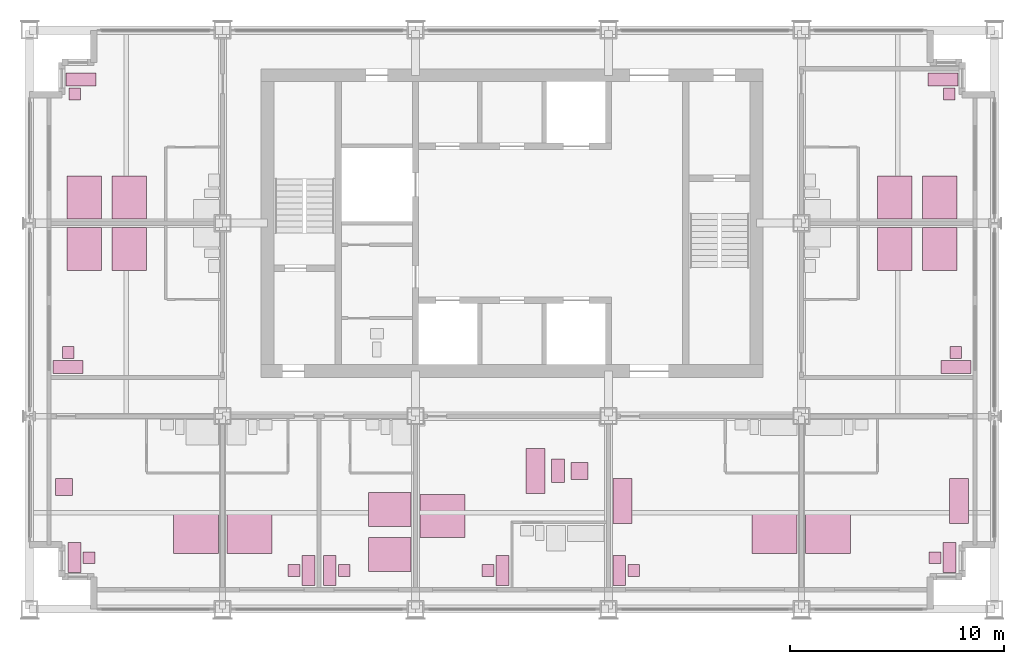
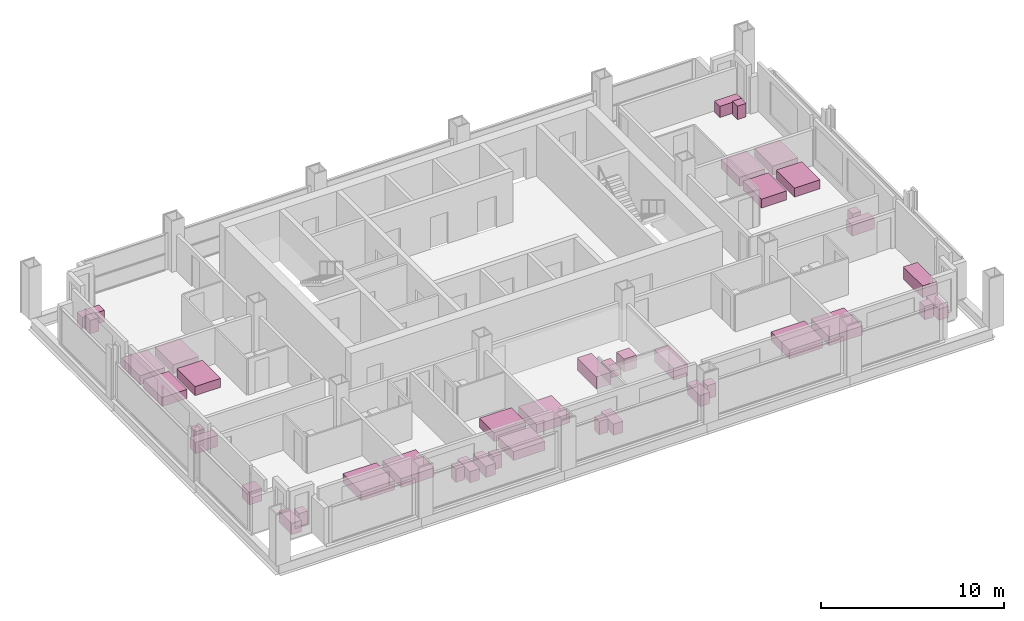
# One storey, part 13 of 13: 41 furniture elements.
"""IFC4 building model written with IfcOpenShell, lengths in metres."""

import ifcopenshell
import ifcopenshell.guid

model = None  # the IFC model being written
_history = None  # IfcOwnerHistory: only IFC2X3 demands one
_inside = {}  # id of a spatial element -> (the spatial element, [elements in it])
_under = {}  # id of a project, library or spatial element -> (it, [spatial elements below it])
_declared = {}  # id of a project -> (the project, [libraries it declares])
_typed = {}  # id of a type object -> (the type object, [elements of that type])
_made_of = {}  # id of a material, layer set ... -> (it, [elements and type objects made of it])


def new_model(schema):
    """Start an empty IFC model of exactly this schema.

    Asked for "IFC4X3", IfcOpenShell would pick the latest addendum, in which some entities
    have other attributes; the version numbers below select the first issue.
    IFC2X3 requires an IfcOwnerHistory on every rooted entity: one is made here for all.
    """
    global model, _history
    if schema == "IFC4X3":
        model = ifcopenshell.file(schema_version=(4, 3, 0, 0))
    else:
        model = ifcopenshell.file(schema=schema)
    _inside.clear()
    _under.clear()
    _declared.clear()
    _typed.clear()
    _made_of.clear()
    _history = None
    if model.schema == "IFC2X3":
        org = make("IfcOrganization", Name="unknown")
        user = make(
            "IfcPersonAndOrganization",
            ThePerson=make("IfcPerson", FamilyName="unknown"),
            TheOrganization=org,
        )
        app = make(
            "IfcApplication",
            ApplicationDeveloper=org,
            Version="unknown",
            ApplicationFullName="unknown",
            ApplicationIdentifier="unknown",
        )
        _history = make(
            "IfcOwnerHistory",
            OwningUser=user,
            OwningApplication=app,
            ChangeAction="ADDED",
            CreationDate=0,
        )
    return model


def make(cls, **values):
    """One entity of the class cls with the attributes given. An attribute that is None is left unset."""
    return model.create_entity(
        cls, **{name: value for name, value in values.items() if value is not None}
    )


def rooted(cls, **values):
    """An entity with a GlobalId (a new one), such as an element, a storey or a relation."""
    return make(cls, GlobalId=ifcopenshell.guid.new(), OwnerHistory=_history, **values)


def si_unit(unit_type, name, prefix=None):
    """IfcSIUnit, for example si_unit("LENGTHUNIT", "METRE", prefix="MILLI")."""
    return make("IfcSIUnit", UnitType=unit_type, Prefix=prefix, Name=name)


def assignment(units):
    """IfcUnitAssignment: the units of a project."""
    return None if units is None else make("IfcUnitAssignment", Units=units)


def point(xyz):
    """IfcCartesianPoint."""
    return None if xyz is None else make("IfcCartesianPoint", Coordinates=xyz)


def direction(xyz):
    """IfcDirection."""
    return None if xyz is None else make("IfcDirection", DirectionRatios=xyz)


def frame(location, z_axis=None, x_axis=None):
    """IfcAxis2Placement3D, a coordinate frame: its origin and axes. An axis left out is left unset."""
    return make(
        "IfcAxis2Placement3D",
        Location=point(location),
        Axis=direction(z_axis),
        RefDirection=direction(x_axis),
    )


def frame_2d(location, x_axis=None):
    """IfcAxis2Placement2D, a coordinate frame in the plane: its origin and x axis."""
    return make(
        "IfcAxis2Placement2D", Location=point(location), RefDirection=direction(x_axis)
    )


def origin():
    """The frame at (0, 0, 0) with its axes left unset."""
    return frame((0.0, 0.0, 0.0))


def origin_2d():
    """The frame at (0, 0) in the plane with its x axis left unset."""
    return frame_2d((0.0, 0.0))


def place(relative_to, where):
    """IfcLocalPlacement: puts the frame where relative to a parent placement (None: the world)."""
    return make(
        "IfcLocalPlacement", PlacementRelTo=relative_to, RelativePlacement=where
    )


def context(
    kind, dimensions, precision=None, world=None, true_north=None, identifier=None
):
    """IfcGeometricRepresentationContext, for example the 3D "Model" context."""
    return make(
        "IfcGeometricRepresentationContext",
        ContextIdentifier=identifier,
        ContextType=kind,
        CoordinateSpaceDimension=dimensions,
        Precision=precision,
        WorldCoordinateSystem=world,
        TrueNorth=true_north,
    )


def subcontext(parent, identifier, kind, view, scale=None):
    """IfcGeometricRepresentationSubContext, for example "Body" below "Model"."""
    return make(
        "IfcGeometricRepresentationSubContext",
        ContextIdentifier=identifier,
        ContextType=kind,
        ParentContext=parent,
        TargetScale=scale,
        TargetView=view,
    )


def project(units=None, contexts=None):
    """IfcProject with its units and contexts."""
    return rooted(
        "IfcProject",
        Name="project",
        RepresentationContexts=contexts,
        UnitsInContext=assignment(units),
    )


def spatial(cls, under=None, at=None, **own):
    """A site, building, storey or space (cls), placed at a placement, below another one or the project."""
    s = rooted(cls, ObjectPlacement=at, **own)
    if under is not None:
        _under.setdefault(under.id(), (under, []))[1].append(s)
    return s


def profile(cls, at=None, kind="AREA", **sizes):
    """A parametric profile (cls). Its sizes go by their IFC names, for example OverallWidth=200.0."""
    return make(cls, ProfileType=kind, Position=at, **sizes)


def rectangle(**sizes):
    """IfcRectangleProfileDef."""
    return profile("IfcRectangleProfileDef", **sizes)


def extrude(swept, where, along, depth):
    """IfcExtrudedAreaSolid: the profile swept, set in the frame where, extruded along a direction by depth."""
    return make(
        "IfcExtrudedAreaSolid",
        SweptArea=swept,
        Position=where,
        ExtrudedDirection=direction(along),
        Depth=depth,
    )


def shape(context_of_items, identifier, shape_type, items):
    """IfcShapeRepresentation: the items that make up one representation, for example the "Body"."""
    return make(
        "IfcShapeRepresentation",
        ContextOfItems=context_of_items,
        RepresentationIdentifier=identifier,
        RepresentationType=shape_type,
        Items=items,
    )


def made_of(thing, what):
    """Note that an element or type object is made of a material, layer set ...; save() writes the relation."""
    if what is not None:
        _made_of.setdefault(what.id(), (what, []))[1].append(thing)
    return thing


def element(
    cls,
    number,
    at=None,
    inside=None,
    cuts=None,
    type_object=None,
    material=None,
    context=None,
    identifier="Body",
    shape_type=None,
    held_by="IfcProductDefinitionShape",
    body=None,
    shapes=None,
    **own,
):
    """One element of the class cls, such as IfcWall. Its Tag is "e" and its number.

    at: its placement. inside: the storey or other place that contains it. cuts: it is an
    opening in that element (IfcRelVoidsElement). A single representation is given by context,
    identifier, shape_type and body (its items); several are given by shapes. held_by: the class
    of the entity that holds the representations. save() writes the other relations.
    """
    e = rooted(cls, Tag="e%d" % number, ObjectPlacement=at, **own)
    if body is not None:
        shapes = [shape(context, identifier, shape_type, body)]
    if shapes is not None:
        e.Representation = make(held_by, Representations=shapes)
    if inside is not None:
        _inside.setdefault(inside.id(), (inside, []))[1].append(e)
    if cuts is not None:
        rooted(
            "IfcRelVoidsElement", RelatingBuildingElement=cuts, RelatedOpeningElement=e
        )
    if type_object is not None:
        _typed.setdefault(type_object.id(), (type_object, []))[1].append(e)
    return made_of(e, material)


def aggregate(whole, parts):
    """IfcRelAggregates: a whole, such as a stair, and the parts it consists of."""
    return rooted("IfcRelAggregates", RelatingObject=whole, RelatedObjects=parts)


def save(model, path):
    """Write the relations noted so far, then the file.

    IfcRelAggregates (storeys below a building ...), IfcRelContainedInSpatialStructure (elements
    in a storey), IfcRelDefinesByType, IfcRelAssociatesMaterial and IfcRelDeclares: one each for
    every whole, place, type object, material and project.
    """
    for whole, parts in _under.values():
        aggregate(whole, parts)
    for where, things in _inside.values():
        rooted(
            "IfcRelContainedInSpatialStructure",
            RelatedElements=things,
            RelatingStructure=where,
        )
    for kind, things in _typed.values():
        rooted("IfcRelDefinesByType", RelatedObjects=things, RelatingType=kind)
    for what, things in _made_of.values():
        rooted("IfcRelAssociatesMaterial", RelatedObjects=things, RelatingMaterial=what)
    for by, libraries in _declared.values():
        rooted("IfcRelDeclares", RelatingContext=by, RelatedDefinitions=libraries)
    model.write(path)


model = new_model("IFC4")

# Units and contexts
model_context = context("Model", 3, precision=1e-05, world=origin(), true_north=direction((0.0, 1.0)))
body_context = subcontext(model_context, "Body", "Model", "MODEL_VIEW")
ifc_project = project(units=[si_unit("LENGTHUNIT", "METRE"), si_unit("AREAUNIT", "SQUARE_METRE"), si_unit("VOLUMEUNIT", "CUBIC_METRE"), si_unit("PLANEANGLEUNIT", "RADIAN"), si_unit("MASSUNIT", "GRAM", prefix="KILO")], contexts=[model_context])

# Site, building, storey
site_placement = place(None, origin())
site = spatial("IfcSite", under=ifc_project, at=site_placement, CompositionType="ELEMENT")
building_placement = place(site_placement, origin())
building = spatial("IfcBuilding", under=site, at=building_placement, Name="Loomwork Tower", CompositionType="ELEMENT")
storey_placement = place(building_placement, frame((0.0, 0.0, 184.199951171875)))
storey = spatial("IfcBuildingStorey", under=building, at=storey_placement, Name="L50", CompositionType="ELEMENT", Elevation=184.199951171875)

# Furniture
furniture_1_placement = place(storey_placement, frame((7.75, 3.60009765625, 0.0), z_axis=(0.0, 0.0, 1.0), x_axis=(1.0, 0.0, 0.0)))
element("IfcFurniture", 1, at=furniture_1_placement, inside=storey, Name="King bed L50", PredefinedType="BED", context=body_context, shape_type="SweptSolid", body=[
    extrude(rectangle(XDim=2.10009765625, YDim=2.0, at=origin_2d()), origin(), (0.0, 0.0, 1.0), 0.60009765625),
])
furniture_2_placement = place(storey_placement, frame((2.10009765625, 2.39990234375, 0.0), z_axis=(0.0, 0.0, 1.0), x_axis=(1.0, 0.0, 0.0)))
element("IfcFurniture", 2, at=furniture_2_placement, inside=storey, Name="Writing desk L50", PredefinedType="DESK", context=body_context, shape_type="SweptSolid", body=[
    extrude(rectangle(XDim=0.60009765625, YDim=1.39990234375, at=origin_2d()), origin(), (0.0, 0.0, 1.0), 0.75),
])
furniture_3_placement = place(storey_placement, frame((2.77490234375, 2.39990234375, 0.0), z_axis=(0.0, 0.0, 1.0), x_axis=(1.0, 0.0, 0.0)))
element("IfcFurniture", 3, at=furniture_3_placement, inside=storey, Name="Desk chair L50", PredefinedType="CHAIR", context=body_context, shape_type="SweptSolid", body=[
    extrude(rectangle(XDim=0.550048828125, YDim=0.550048828125, at=origin_2d()), origin(), (0.0, 0.0, 1.0), 0.89990234375),
])
furniture_4_placement = place(storey_placement, frame((1.60009765625, 5.699951171875, 0.0), z_axis=(0.0, 0.0, 1.0), x_axis=(1.0, 0.0, 0.0)))
element("IfcFurniture", 4, at=furniture_4_placement, inside=storey, Name="Lounge armchair L50", PredefinedType="CHAIR", context=body_context, shape_type="SweptSolid", body=[
    extrude(rectangle(XDim=0.800048828125, YDim=0.800048828125, at=origin_2d()), origin(), (0.0, 0.0, 1.0), 0.85009765625),
])
furniture_5_placement = place(storey_placement, frame((10.25, 3.60009765625, 0.0), z_axis=(0.0, 0.0, 1.0), x_axis=(1.0, 0.0, 0.0)))
element("IfcFurniture", 5, at=furniture_5_placement, inside=storey, Name="King bed L50", PredefinedType="BED", context=body_context, shape_type="SweptSolid", body=[
    extrude(rectangle(XDim=2.10009765625, YDim=2.0, at=origin_2d()), origin(), (0.0, 0.0, 1.0), 0.60009765625),
])
furniture_6_placement = place(storey_placement, frame((13.0, 1.800048828125, 0.0), z_axis=(0.0, 0.0, 1.0), x_axis=(1.0, 0.0, 0.0)))
element("IfcFurniture", 6, at=furniture_6_placement, inside=storey, Name="Writing desk L50", PredefinedType="DESK", context=body_context, shape_type="SweptSolid", body=[
    extrude(rectangle(XDim=0.60009765625, YDim=1.39990234375, at=origin_2d()), origin(), (0.0, 0.0, 1.0), 0.75),
])
furniture_7_placement = place(storey_placement, frame((12.324951171875, 1.800048828125, 0.0), z_axis=(0.0, 0.0, 1.0), x_axis=(1.0, 0.0, 0.0)))
element("IfcFurniture", 7, at=furniture_7_placement, inside=storey, Name="Desk chair L50", PredefinedType="CHAIR", context=body_context, shape_type="SweptSolid", body=[
    extrude(rectangle(XDim=0.550048828125, YDim=0.550048828125, at=origin_2d()), origin(), (0.0, 0.0, 1.0), 0.89990234375),
])
for number, where, z_axis, x_axis, name in (
    (8, (16.800048828125, 4.64990234375, 0.0), (0.0, 0.0, 1.0), (1.0, 0.0, 0.0), "Queen bed L50"),
    (9, (16.800048828125, 2.550048828125, 0.0), (0.0, 0.0, 1.0), (1.0, 0.0, 0.0), "Queen bed L50"),
):
    element("IfcFurniture", number, at=place(storey_placement, frame(where, z_axis=z_axis, x_axis=x_axis)), inside=storey, Name=name, PredefinedType="BED", context=body_context, shape_type="SweptSolid", body=[
        extrude(rectangle(XDim=2.0, YDim=1.60009765625, at=origin_2d()), origin(), (0.0, 0.0, 1.0), 0.60009765625),
    ])
furniture_8_placement = place(storey_placement, frame((14.0, 1.800048828125, 0.0), z_axis=(0.0, 0.0, 1.0), x_axis=(1.0, 0.0, 0.0)))
element("IfcFurniture", 10, at=furniture_8_placement, inside=storey, Name="Writing desk L50", PredefinedType="DESK", context=body_context, shape_type="SweptSolid", body=[
    extrude(rectangle(XDim=0.60009765625, YDim=1.39990234375, at=origin_2d()), origin(), (0.0, 0.0, 1.0), 0.75),
])
furniture_9_placement = place(storey_placement, frame((14.675048828125, 1.800048828125, 0.0), z_axis=(0.0, 0.0, 1.0), x_axis=(1.0, 0.0, 0.0)))
element("IfcFurniture", 11, at=furniture_9_placement, inside=storey, Name="Desk chair L50", PredefinedType="CHAIR", context=body_context, shape_type="SweptSolid", body=[
    extrude(rectangle(XDim=0.550048828125, YDim=0.550048828125, at=origin_2d()), origin(), (0.0, 0.0, 1.0), 0.89990234375),
])
furniture_10_placement = place(storey_placement, frame((19.25, 4.35009765625, 0.0), z_axis=(0.0, 0.0, 1.0), x_axis=(1.0, 0.0, 0.0)))
element("IfcFurniture", 12, at=furniture_10_placement, inside=storey, Name="King bed L50", PredefinedType="BED", context=body_context, shape_type="SweptSolid", body=[
    extrude(rectangle(XDim=2.10009765625, YDim=2.0, at=origin_2d()), origin(), (0.0, 0.0, 1.0), 0.60009765625),
])
furniture_11_placement = place(storey_placement, frame((22.050048828125, 1.800048828125, 0.0), z_axis=(0.0, 0.0, 1.0), x_axis=(1.0, 0.0, 0.0)))
element("IfcFurniture", 13, at=furniture_11_placement, inside=storey, Name="Writing desk L50", PredefinedType="DESK", context=body_context, shape_type="SweptSolid", body=[
    extrude(rectangle(XDim=0.60009765625, YDim=1.39990234375, at=origin_2d()), origin(), (0.0, 0.0, 1.0), 0.75),
])
furniture_12_placement = place(storey_placement, frame((21.375, 1.800048828125, 0.0), z_axis=(0.0, 0.0, 1.0), x_axis=(1.0, 0.0, 0.0)))
element("IfcFurniture", 14, at=furniture_12_placement, inside=storey, Name="Desk chair L50", PredefinedType="CHAIR", context=body_context, shape_type="SweptSolid", body=[
    extrude(rectangle(XDim=0.550048828125, YDim=0.550048828125, at=origin_2d()), origin(), (0.0, 0.0, 1.0), 0.89990234375),
])
furniture_13_placement = place(storey_placement, frame((23.60009765625, 6.449951171875, 0.0), z_axis=(0.0, 0.0, 1.0), x_axis=(1.0, 0.0, 0.0)))
element("IfcFurniture", 15, at=furniture_13_placement, inside=storey, Name="Sofa L50", PredefinedType="SOFA", context=body_context, shape_type="SweptSolid", body=[
    extrude(rectangle(XDim=0.89990234375, YDim=2.10009765625, at=origin_2d()), origin(), (0.0, 0.0, 1.0), 0.800048828125),
])
furniture_14_placement = place(storey_placement, frame((24.64990234375, 6.449951171875, 0.0), z_axis=(0.0, 0.0, 1.0), x_axis=(1.0, 0.0, 0.0)))
element("IfcFurniture", 16, at=furniture_14_placement, inside=storey, Name="Coffee table L50", PredefinedType="TABLE", context=body_context, shape_type="SweptSolid", body=[
    extrude(rectangle(XDim=0.60009765625, YDim=1.10009765625, at=origin_2d()), origin(), (0.0, 0.0, 1.0), 0.449951171875),
])
furniture_15_placement = place(storey_placement, frame((25.64990234375, 6.449951171875, 0.0), z_axis=(0.0, 0.0, 1.0), x_axis=(1.0, 0.0, 0.0)))
element("IfcFurniture", 17, at=furniture_15_placement, inside=storey, Name="Lounge armchair L50", PredefinedType="CHAIR", context=body_context, shape_type="SweptSolid", body=[
    extrude(rectangle(XDim=0.800048828125, YDim=0.800048828125, at=origin_2d()), origin(), (0.0, 0.0, 1.0), 0.85009765625),
])
furniture_16_placement = place(storey_placement, frame((34.75, 3.60009765625, 0.0), z_axis=(0.0, 0.0, 1.0), x_axis=(1.0, 0.0, 0.0)))
element("IfcFurniture", 18, at=furniture_16_placement, inside=storey, Name="King bed L50", PredefinedType="BED", context=body_context, shape_type="SweptSolid", body=[
    extrude(rectangle(XDim=2.10009765625, YDim=2.0, at=origin_2d()), origin(), (0.0, 0.0, 1.0), 0.60009765625),
])
furniture_17_placement = place(storey_placement, frame((27.5, 1.800048828125, 0.0), z_axis=(0.0, 0.0, 1.0), x_axis=(1.0, 0.0, 0.0)))
element("IfcFurniture", 19, at=furniture_17_placement, inside=storey, Name="Writing desk L50", PredefinedType="DESK", context=body_context, shape_type="SweptSolid", body=[
    extrude(rectangle(XDim=0.60009765625, YDim=1.39990234375, at=origin_2d()), origin(), (0.0, 0.0, 1.0), 0.75),
])
furniture_18_placement = place(storey_placement, frame((28.175048828125, 1.800048828125, 0.0), z_axis=(0.0, 0.0, 1.0), x_axis=(1.0, 0.0, 0.0)))
element("IfcFurniture", 20, at=furniture_18_placement, inside=storey, Name="Desk chair L50", PredefinedType="CHAIR", context=body_context, shape_type="SweptSolid", body=[
    extrude(rectangle(XDim=0.550048828125, YDim=0.550048828125, at=origin_2d()), origin(), (0.0, 0.0, 1.0), 0.89990234375),
])
furniture_19_placement = place(storey_placement, frame((27.64990234375, 5.050048828125, 0.0), z_axis=(0.0, 0.0, 1.0), x_axis=(1.0, 0.0, 0.0)))
element("IfcFurniture", 21, at=furniture_19_placement, inside=storey, Name="Sofa L50", PredefinedType="SOFA", context=body_context, shape_type="SweptSolid", body=[
    extrude(rectangle(XDim=0.89990234375, YDim=2.10009765625, at=origin_2d()), origin(), (0.0, 0.0, 1.0), 0.800048828125),
])
furniture_20_placement = place(storey_placement, frame((37.25, 3.60009765625, 0.0), z_axis=(0.0, 0.0, 1.0), x_axis=(1.0, 0.0, 0.0)))
element("IfcFurniture", 22, at=furniture_20_placement, inside=storey, Name="King bed L50", PredefinedType="BED", context=body_context, shape_type="SweptSolid", body=[
    extrude(rectangle(XDim=2.10009765625, YDim=2.0, at=origin_2d()), origin(), (0.0, 0.0, 1.0), 0.60009765625),
])
furniture_21_placement = place(storey_placement, frame((42.89990234375, 2.39990234375, 0.0), z_axis=(0.0, 0.0, 1.0), x_axis=(1.0, 0.0, 0.0)))
element("IfcFurniture", 23, at=furniture_21_placement, inside=storey, Name="Writing desk L50", PredefinedType="DESK", context=body_context, shape_type="SweptSolid", body=[
    extrude(rectangle(XDim=0.60009765625, YDim=1.39990234375, at=origin_2d()), origin(), (0.0, 0.0, 1.0), 0.75),
])
furniture_22_placement = place(storey_placement, frame((42.22509765625, 2.39990234375, 0.0), z_axis=(0.0, 0.0, 1.0), x_axis=(1.0, 0.0, 0.0)))
element("IfcFurniture", 24, at=furniture_22_placement, inside=storey, Name="Desk chair L50", PredefinedType="CHAIR", context=body_context, shape_type="SweptSolid", body=[
    extrude(rectangle(XDim=0.550048828125, YDim=0.550048828125, at=origin_2d()), origin(), (0.0, 0.0, 1.0), 0.89990234375),
])
furniture_23_placement = place(storey_placement, frame((43.35009765625, 5.050048828125, 0.0), z_axis=(0.0, 0.0, 1.0), x_axis=(1.0, 0.0, 0.0)))
element("IfcFurniture", 25, at=furniture_23_placement, inside=storey, Name="Sofa L50", PredefinedType="SOFA", context=body_context, shape_type="SweptSolid", body=[
    extrude(rectangle(XDim=0.89990234375, YDim=2.10009765625, at=origin_2d()), origin(), (0.0, 0.0, 1.0), 0.800048828125),
])
for number, where, z_axis, x_axis, name in (
    (26, (4.64990234375, 16.800048828125, 0.0), (0.0, 0.0, 1.0), (1.0, 0.0, 0.0), "Queen bed L50"),
    (27, (2.550048828125, 16.800048828125, 0.0), (0.0, 0.0, 1.0), (1.0, 0.0, 0.0), "Queen bed L50"),
):
    element("IfcFurniture", number, at=place(storey_placement, frame(where, z_axis=z_axis, x_axis=x_axis)), inside=storey, Name=name, PredefinedType="BED", context=body_context, shape_type="SweptSolid", body=[
        extrude(rectangle(XDim=1.60009765625, YDim=2.0, at=origin_2d()), origin(), (0.0, 0.0, 1.0), 0.60009765625),
    ])
furniture_24_placement = place(storey_placement, frame((1.800048828125, 11.300048828125, 0.0), z_axis=(0.0, 0.0, 1.0), x_axis=(1.0, 0.0, 0.0)))
element("IfcFurniture", 28, at=furniture_24_placement, inside=storey, Name="Writing desk L50", PredefinedType="DESK", context=body_context, shape_type="SweptSolid", body=[
    extrude(rectangle(XDim=1.39990234375, YDim=0.60009765625, at=origin_2d()), origin(), (0.0, 0.0, 1.0), 0.75),
])
furniture_25_placement = place(storey_placement, frame((1.800048828125, 11.97509765625, 0.0), z_axis=(0.0, 0.0, 1.0), x_axis=(1.0, 0.0, 0.0)))
element("IfcFurniture", 29, at=furniture_25_placement, inside=storey, Name="Desk chair L50", PredefinedType="CHAIR", context=body_context, shape_type="SweptSolid", body=[
    extrude(rectangle(XDim=0.550048828125, YDim=0.550048828125, at=origin_2d()), origin(), (0.0, 0.0, 1.0), 0.89990234375),
])
for number, where, z_axis, x_axis, name in (
    (30, (4.64990234375, 19.199951171875, 0.0), (0.0, 0.0, 1.0), (1.0, 0.0, 0.0), "Queen bed L50"),
    (31, (2.550048828125, 19.199951171875, 0.0), (0.0, 0.0, 1.0), (1.0, 0.0, 0.0), "Queen bed L50"),
):
    element("IfcFurniture", number, at=place(storey_placement, frame(where, z_axis=z_axis, x_axis=x_axis)), inside=storey, Name=name, PredefinedType="BED", context=body_context, shape_type="SweptSolid", body=[
        extrude(rectangle(XDim=1.60009765625, YDim=2.0, at=origin_2d()), origin(), (0.0, 0.0, 1.0), 0.60009765625),
    ])
furniture_26_placement = place(storey_placement, frame((2.39990234375, 24.699951171875, 0.0), z_axis=(0.0, 0.0, 1.0), x_axis=(1.0, 0.0, 0.0)))
element("IfcFurniture", 32, at=furniture_26_placement, inside=storey, Name="Writing desk L50", PredefinedType="DESK", context=body_context, shape_type="SweptSolid", body=[
    extrude(rectangle(XDim=1.39990234375, YDim=0.60009765625, at=origin_2d()), origin(), (0.0, 0.0, 1.0), 0.75),
])
furniture_27_placement = place(storey_placement, frame((2.10009765625, 24.02490234375, 0.0), z_axis=(0.0, 0.0, 1.0), x_axis=(1.0, 0.0, 0.0)))
element("IfcFurniture", 33, at=furniture_27_placement, inside=storey, Name="Desk chair L50", PredefinedType="CHAIR", context=body_context, shape_type="SweptSolid", body=[
    extrude(rectangle(XDim=0.550048828125, YDim=0.550048828125, at=origin_2d()), origin(), (0.0, 0.0, 1.0), 0.89990234375),
])
for number, where, z_axis, x_axis, name in (
    (34, (40.35009765625, 16.800048828125, 0.0), (0.0, 0.0, 1.0), (1.0, 0.0, 0.0), "Queen bed L50"),
    (35, (42.449951171875, 16.800048828125, 0.0), (0.0, 0.0, 1.0), (1.0, 0.0, 0.0), "Queen bed L50"),
):
    element("IfcFurniture", number, at=place(storey_placement, frame(where, z_axis=z_axis, x_axis=x_axis)), inside=storey, Name=name, PredefinedType="BED", context=body_context, shape_type="SweptSolid", body=[
        extrude(rectangle(XDim=1.60009765625, YDim=2.0, at=origin_2d()), origin(), (0.0, 0.0, 1.0), 0.60009765625),
    ])
furniture_28_placement = place(storey_placement, frame((43.199951171875, 11.300048828125, 0.0), z_axis=(0.0, 0.0, 1.0), x_axis=(1.0, 0.0, 0.0)))
element("IfcFurniture", 36, at=furniture_28_placement, inside=storey, Name="Writing desk L50", PredefinedType="DESK", context=body_context, shape_type="SweptSolid", body=[
    extrude(rectangle(XDim=1.39990234375, YDim=0.60009765625, at=origin_2d()), origin(), (0.0, 0.0, 1.0), 0.75),
])
furniture_29_placement = place(storey_placement, frame((43.199951171875, 11.97509765625, 0.0), z_axis=(0.0, 0.0, 1.0), x_axis=(1.0, 0.0, 0.0)))
element("IfcFurniture", 37, at=furniture_29_placement, inside=storey, Name="Desk chair L50", PredefinedType="CHAIR", context=body_context, shape_type="SweptSolid", body=[
    extrude(rectangle(XDim=0.550048828125, YDim=0.550048828125, at=origin_2d()), origin(), (0.0, 0.0, 1.0), 0.89990234375),
])
for number, where, z_axis, x_axis, name in (
    (38, (40.35009765625, 19.199951171875, 0.0), (0.0, 0.0, 1.0), (1.0, 0.0, 0.0), "Queen bed L50"),
    (39, (42.449951171875, 19.199951171875, 0.0), (0.0, 0.0, 1.0), (1.0, 0.0, 0.0), "Queen bed L50"),
):
    element("IfcFurniture", number, at=place(storey_placement, frame(where, z_axis=z_axis, x_axis=x_axis)), inside=storey, Name=name, PredefinedType="BED", context=body_context, shape_type="SweptSolid", body=[
        extrude(rectangle(XDim=1.60009765625, YDim=2.0, at=origin_2d()), origin(), (0.0, 0.0, 1.0), 0.60009765625),
    ])
furniture_30_placement = place(storey_placement, frame((42.60009765625, 24.699951171875, 0.0), z_axis=(0.0, 0.0, 1.0), x_axis=(1.0, 0.0, 0.0)))
element("IfcFurniture", 40, at=furniture_30_placement, inside=storey, Name="Writing desk L50", PredefinedType="DESK", context=body_context, shape_type="SweptSolid", body=[
    extrude(rectangle(XDim=1.39990234375, YDim=0.60009765625, at=origin_2d()), origin(), (0.0, 0.0, 1.0), 0.75),
])
furniture_31_placement = place(storey_placement, frame((42.89990234375, 24.02490234375, 0.0), z_axis=(0.0, 0.0, 1.0), x_axis=(1.0, 0.0, 0.0)))
element("IfcFurniture", 41, at=furniture_31_placement, inside=storey, Name="Desk chair L50", PredefinedType="CHAIR", context=body_context, shape_type="SweptSolid", body=[
    extrude(rectangle(XDim=0.550048828125, YDim=0.550048828125, at=origin_2d()), origin(), (0.0, 0.0, 1.0), 0.89990234375),
])

save(model, "model.ifc")
